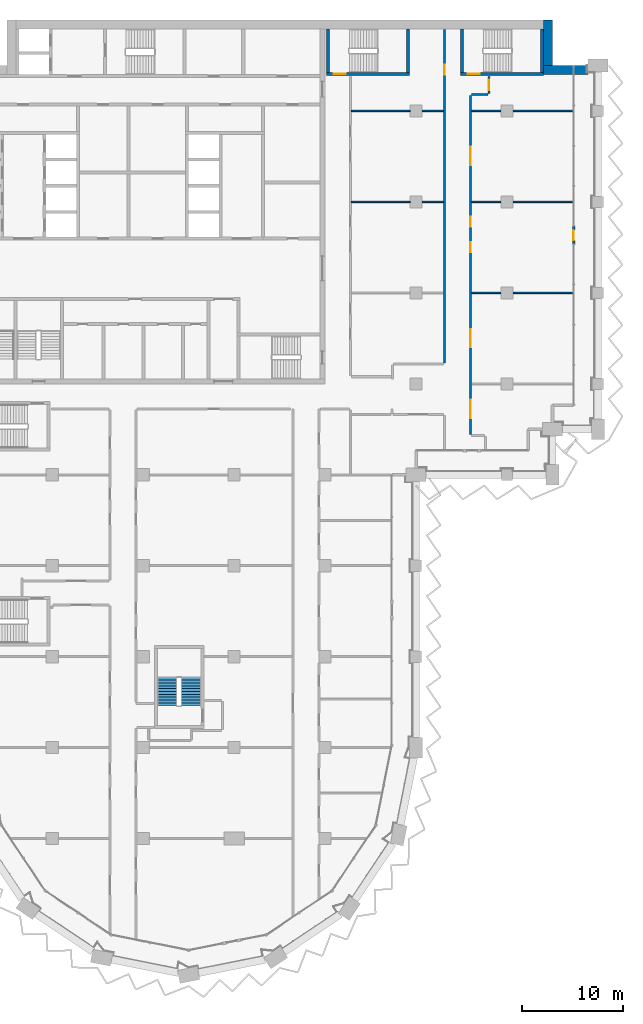
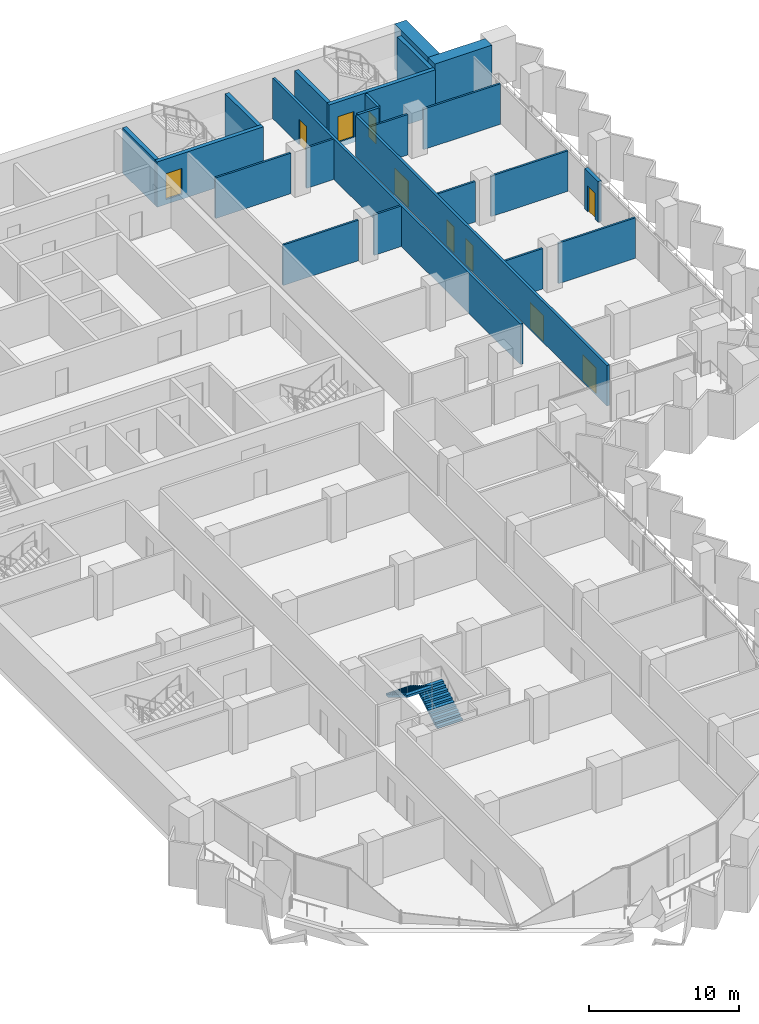
# One storey, part 14 of 22: 23 walls, 10 doors, 2 stair flights, 10 openings, 1 element without a shape of its own.
"""IFC4 building model written with IfcOpenShell, lengths in metres."""

import ifcopenshell
import ifcopenshell.guid

model = None  # the IFC model being written
_history = None  # IfcOwnerHistory: only IFC2X3 demands one
_inside = {}  # id of a spatial element -> (the spatial element, [elements in it])
_under = {}  # id of a project, library or spatial element -> (it, [spatial elements below it])
_declared = {}  # id of a project -> (the project, [libraries it declares])
_typed = {}  # id of a type object -> (the type object, [elements of that type])
_made_of = {}  # id of a material, layer set ... -> (it, [elements and type objects made of it])


def new_model(schema):
    """Start an empty IFC model of exactly this schema.

    Asked for "IFC4X3", IfcOpenShell would pick the latest addendum, in which some entities
    have other attributes; the version numbers below select the first issue.
    IFC2X3 requires an IfcOwnerHistory on every rooted entity: one is made here for all.
    """
    global model, _history
    if schema == "IFC4X3":
        model = ifcopenshell.file(schema_version=(4, 3, 0, 0))
    else:
        model = ifcopenshell.file(schema=schema)
    _inside.clear()
    _under.clear()
    _declared.clear()
    _typed.clear()
    _made_of.clear()
    _history = None
    if model.schema == "IFC2X3":
        org = make("IfcOrganization", Name="unknown")
        user = make(
            "IfcPersonAndOrganization",
            ThePerson=make("IfcPerson", FamilyName="unknown"),
            TheOrganization=org,
        )
        app = make(
            "IfcApplication",
            ApplicationDeveloper=org,
            Version="unknown",
            ApplicationFullName="unknown",
            ApplicationIdentifier="unknown",
        )
        _history = make(
            "IfcOwnerHistory",
            OwningUser=user,
            OwningApplication=app,
            ChangeAction="ADDED",
            CreationDate=0,
        )
    return model


def make(cls, **values):
    """One entity of the class cls with the attributes given. An attribute that is None is left unset."""
    return model.create_entity(
        cls, **{name: value for name, value in values.items() if value is not None}
    )


def rooted(cls, **values):
    """An entity with a GlobalId (a new one), such as an element, a storey or a relation."""
    return make(cls, GlobalId=ifcopenshell.guid.new(), OwnerHistory=_history, **values)


def si_unit(unit_type, name, prefix=None):
    """IfcSIUnit, for example si_unit("LENGTHUNIT", "METRE", prefix="MILLI")."""
    return make("IfcSIUnit", UnitType=unit_type, Prefix=prefix, Name=name)


def assignment(units):
    """IfcUnitAssignment: the units of a project."""
    return None if units is None else make("IfcUnitAssignment", Units=units)


def point(xyz):
    """IfcCartesianPoint."""
    return None if xyz is None else make("IfcCartesianPoint", Coordinates=xyz)


def direction(xyz):
    """IfcDirection."""
    return None if xyz is None else make("IfcDirection", DirectionRatios=xyz)


def frame(location, z_axis=None, x_axis=None):
    """IfcAxis2Placement3D, a coordinate frame: its origin and axes. An axis left out is left unset."""
    return make(
        "IfcAxis2Placement3D",
        Location=point(location),
        Axis=direction(z_axis),
        RefDirection=direction(x_axis),
    )


def frame_2d(location, x_axis=None):
    """IfcAxis2Placement2D, a coordinate frame in the plane: its origin and x axis."""
    return make(
        "IfcAxis2Placement2D", Location=point(location), RefDirection=direction(x_axis)
    )


def origin():
    """The frame at (0, 0, 0) with its axes left unset."""
    return frame((0.0, 0.0, 0.0))


def place(relative_to, where):
    """IfcLocalPlacement: puts the frame where relative to a parent placement (None: the world)."""
    return make(
        "IfcLocalPlacement", PlacementRelTo=relative_to, RelativePlacement=where
    )


def context(
    kind, dimensions, precision=None, world=None, true_north=None, identifier=None
):
    """IfcGeometricRepresentationContext, for example the 3D "Model" context."""
    return make(
        "IfcGeometricRepresentationContext",
        ContextIdentifier=identifier,
        ContextType=kind,
        CoordinateSpaceDimension=dimensions,
        Precision=precision,
        WorldCoordinateSystem=world,
        TrueNorth=true_north,
    )


def subcontext(parent, identifier, kind, view, scale=None):
    """IfcGeometricRepresentationSubContext, for example "Body" below "Model"."""
    return make(
        "IfcGeometricRepresentationSubContext",
        ContextIdentifier=identifier,
        ContextType=kind,
        ParentContext=parent,
        TargetScale=scale,
        TargetView=view,
    )


def project(units=None, contexts=None):
    """IfcProject with its units and contexts."""
    return rooted(
        "IfcProject",
        Name="project",
        RepresentationContexts=contexts,
        UnitsInContext=assignment(units),
    )


def spatial(cls, under=None, at=None, **own):
    """A site, building, storey or space (cls), placed at a placement, below another one or the project."""
    s = rooted(cls, ObjectPlacement=at, **own)
    if under is not None:
        _under.setdefault(under.id(), (under, []))[1].append(s)
    return s


def polyline(points):
    """IfcPolyline through the points."""
    return make("IfcPolyline", Points=[point(p) for p in points])


def profile(cls, at=None, kind="AREA", **sizes):
    """A parametric profile (cls). Its sizes go by their IFC names, for example OverallWidth=200.0."""
    return make(cls, ProfileType=kind, Position=at, **sizes)


def rectangle(**sizes):
    """IfcRectangleProfileDef."""
    return profile("IfcRectangleProfileDef", **sizes)


def outline(outer, holes=None, kind="AREA"):
    """IfcArbitraryClosedProfileDef: a profile drawn as a closed curve; with holes, ...WithVoids."""
    if holes is None:
        return make("IfcArbitraryClosedProfileDef", ProfileType=kind, OuterCurve=outer)
    return make(
        "IfcArbitraryProfileDefWithVoids",
        ProfileType=kind,
        OuterCurve=outer,
        InnerCurves=holes,
    )


def extrude(swept, where, along, depth):
    """IfcExtrudedAreaSolid: the profile swept, set in the frame where, extruded along a direction by depth."""
    return make(
        "IfcExtrudedAreaSolid",
        SweptArea=swept,
        Position=where,
        ExtrudedDirection=direction(along),
        Depth=depth,
    )


def shape(context_of_items, identifier, shape_type, items):
    """IfcShapeRepresentation: the items that make up one representation, for example the "Body"."""
    return make(
        "IfcShapeRepresentation",
        ContextOfItems=context_of_items,
        RepresentationIdentifier=identifier,
        RepresentationType=shape_type,
        Items=items,
    )


def material(Name=None, Category=None):
    """IfcMaterial."""
    return make("IfcMaterial", Name=Name, Category=Category)


def layer(
    of_material, thickness, ventilated=None, Name=None, Category=None, Priority=None
):
    """IfcMaterialLayer: one layer of a wall or slab, of a material (None: an air gap)."""
    return make(
        "IfcMaterialLayer",
        Material=of_material,
        LayerThickness=thickness,
        IsVentilated=ventilated,
        Name=Name,
        Category=Category,
        Priority=Priority,
    )


def layer_set(layers, Name=None):
    """IfcMaterialLayerSet."""
    return make("IfcMaterialLayerSet", MaterialLayers=layers, LayerSetName=Name)


def made_of(thing, what):
    """Note that an element or type object is made of a material, layer set ...; save() writes the relation."""
    if what is not None:
        _made_of.setdefault(what.id(), (what, []))[1].append(thing)
    return thing


def type_object(cls, material=None, **own):
    """A type object (cls), such as IfcWallType, which elements share."""
    return made_of(rooted(cls, **own), material)


def element(
    cls,
    number,
    at=None,
    inside=None,
    cuts=None,
    type_object=None,
    material=None,
    context=None,
    identifier="Body",
    shape_type=None,
    held_by="IfcProductDefinitionShape",
    body=None,
    shapes=None,
    **own,
):
    """One element of the class cls, such as IfcWall. Its Tag is "e" and its number.

    at: its placement. inside: the storey or other place that contains it. cuts: it is an
    opening in that element (IfcRelVoidsElement). A single representation is given by context,
    identifier, shape_type and body (its items); several are given by shapes. held_by: the class
    of the entity that holds the representations. save() writes the other relations.
    """
    e = rooted(cls, Tag="e%d" % number, ObjectPlacement=at, **own)
    if body is not None:
        shapes = [shape(context, identifier, shape_type, body)]
    if shapes is not None:
        e.Representation = make(held_by, Representations=shapes)
    if inside is not None:
        _inside.setdefault(inside.id(), (inside, []))[1].append(e)
    if cuts is not None:
        rooted(
            "IfcRelVoidsElement", RelatingBuildingElement=cuts, RelatedOpeningElement=e
        )
    if type_object is not None:
        _typed.setdefault(type_object.id(), (type_object, []))[1].append(e)
    return made_of(e, material)


def fill(opening, filler):
    """IfcRelFillsElement: the door or window that sits in an opening."""
    return rooted(
        "IfcRelFillsElement",
        RelatingOpeningElement=opening,
        RelatedBuildingElement=filler,
    )


def aggregate(whole, parts):
    """IfcRelAggregates: a whole, such as a stair, and the parts it consists of."""
    return rooted("IfcRelAggregates", RelatingObject=whole, RelatedObjects=parts)


def save(model, path):
    """Write the relations noted so far, then the file.

    IfcRelAggregates (storeys below a building ...), IfcRelContainedInSpatialStructure (elements
    in a storey), IfcRelDefinesByType, IfcRelAssociatesMaterial and IfcRelDeclares: one each for
    every whole, place, type object, material and project.
    """
    for whole, parts in _under.values():
        aggregate(whole, parts)
    for where, things in _inside.values():
        rooted(
            "IfcRelContainedInSpatialStructure",
            RelatedElements=things,
            RelatingStructure=where,
        )
    for kind, things in _typed.values():
        rooted("IfcRelDefinesByType", RelatedObjects=things, RelatingType=kind)
    for what, things in _made_of.values():
        rooted("IfcRelAssociatesMaterial", RelatedObjects=things, RelatingMaterial=what)
    for by, libraries in _declared.values():
        rooted("IfcRelDeclares", RelatingContext=by, RelatedDefinitions=libraries)
    model.write(path)


model = new_model("IFC4")

# Units and contexts
model_context = context("Model", 3, precision=1e-05, world=origin(), true_north=direction((0.0, 1.0)))
body_context = subcontext(model_context, "Body", "Model", "MODEL_VIEW")
ifc_project = project(units=[si_unit("LENGTHUNIT", "METRE"), si_unit("AREAUNIT", "SQUARE_METRE"), si_unit("VOLUMEUNIT", "CUBIC_METRE"), si_unit("PLANEANGLEUNIT", "RADIAN"), si_unit("MASSUNIT", "GRAM", prefix="KILO")], contexts=[model_context])

# Site, building, storey
site_placement = place(None, origin())
site = spatial("IfcSite", under=ifc_project, at=site_placement, CompositionType="ELEMENT")
building_placement = place(site_placement, origin())
building = spatial("IfcBuilding", under=site, at=building_placement, Name="Hunhe Ridgeline Campus", CompositionType="ELEMENT")
storey_placement = place(building_placement, frame((0.0, 0.0, 141.199951171875)))
storey = spatial("IfcBuildingStorey", under=building, at=storey_placement, Name="L35", CompositionType="ELEMENT", Elevation=141.199951171875)

# Wall
ifc_material_1 = material(Name="Gypsum board partition")
ifc_layer_1 = layer(ifc_material_1, 0.199951171875)
ifc_layer_set_1 = layer_set([ifc_layer_1], Name="Corridor partition 200 gypsum board on steel studs")
wall_type_1 = type_object("IfcWallType", Name="Corridor partition 200 gypsum board on steel studs", PredefinedType="PARTITIONING", material=ifc_layer_set_1)
wall_1_placement = place(storey_placement, frame((52.10009765625, 91.64990234375, 0.0), z_axis=(0.0, 0.0, 1.0), x_axis=(-1.0, 0.0, 0.0)))
element("IfcWall", 1, at=wall_1_placement, inside=storey, type_object=wall_type_1, Name="F-L35-wall-058", PredefinedType="PARTITIONING", context=body_context, shape_type="SweptSolid", body=[
    extrude(rectangle(XDim=1.60009765625, YDim=0.199951171875, at=frame_2d((0.800048828125, 0.0))), origin(), (0.0, 0.0, 1.0), 3.300048828125),
])

# Wall, opening, door
wall_2_placement = place(storey_placement, frame((47.800048828125, 65.050048828125, 0.0), z_axis=(0.0, 0.0, 1.0), x_axis=(0.0, 1.0, 0.0)))
wall_2 = element("IfcWall", 2, at=wall_2_placement, inside=storey, type_object=wall_type_1, Name="F-L35-wall-080", PredefinedType="PARTITIONING", context=body_context, shape_type="SweptSolid", body=[
    extrude(rectangle(XDim=33.030029296875, YDim=0.199951171875, at=frame_2d((16.51513671875, 0.0))), origin(), (0.0, 0.0, 1.0), 3.300048828125),
])
opening_1_placement = place(wall_2_placement, frame((28.540283203125, 0.0, 0.0)))
opening_1 = element("IfcOpeningElement", 3, at=opening_1_placement, cuts=wall_2, Name="Opening RD1-043", PredefinedType="OPENING", context=body_context, shape_type="SweptSolid", body=[
    extrude(rectangle(XDim=1.0, YDim=2.10009765625, at=frame_2d((0.5, 1.050048828125))), frame((0.0, 0.10009765625, 0.0), z_axis=(0.0, -1.0, 0.0), x_axis=(1.0, 0.0, 0.0)), (0.0, 0.0, 1.0), 0.199951171875),
])
ifc_material_2 = material(Name="Timber door leaf", Category="wood")
door_type_1 = type_object("IfcDoorType", Name="Single fire door 1000x2100 timber FD60", OperationType="NOTDEFINED", PredefinedType="DOOR", material=ifc_material_2)
door_1_placement = place(opening_1_placement, origin())
door_1 = element("IfcDoor", 4, at=door_1_placement, inside=storey, type_object=door_type_1, Name="F-L35-door-043", OperationType="SINGLE_SWING_RIGHT", OverallHeight=2.10009765625, OverallWidth=1.0, PredefinedType="DOOR", context=body_context, shape_type="SweptSolid", body=[
    extrude(rectangle(XDim=1.0, YDim=2.10009765625, at=frame_2d((0.5, 1.050048828125))), frame((0.0, 0.02490234375, 0.0), z_axis=(0.0, -1.0, 0.0), x_axis=(1.0, 0.0, 0.0)), (0.0, 0.0, 1.0), 0.050048828125),
])
fill(opening_1, door_1)

# Wall, openings, doors
wall_3_placement = place(storey_placement, frame((50.39990234375, 91.550048828125, 0.0), z_axis=(0.0, 0.0, 1.0), x_axis=(0.0, -1.0, 0.0)))
wall_3 = element("IfcWall", 5, at=wall_3_placement, inside=storey, type_object=wall_type_1, Name="F-L35-wall-081", PredefinedType="PARTITIONING", context=body_context, shape_type="SweptSolid", body=[
    extrude(rectangle(XDim=33.549072265625, YDim=0.199951171875, at=frame_2d((16.7744140625, 0.0))), origin(), (0.0, 0.0, 1.0), 3.300048828125),
])
opening_2_placement = place(wall_3_placement, frame((30.145263671875, 0.0, 0.0)))
opening_2 = element("IfcOpeningElement", 6, at=opening_2_placement, cuts=wall_3, Name="Opening RD2-031", PredefinedType="OPENING", context=body_context, shape_type="SweptSolid", body=[
    extrude(rectangle(XDim=1.800048828125, YDim=2.10009765625, at=frame_2d((0.89990234375, 1.050048828125))), frame((0.0, 0.10009765625, 0.0), z_axis=(0.0, -1.0, 0.0), x_axis=(1.0, 0.0, 0.0)), (0.0, 0.0, 1.0), 0.199951171875),
])
opening_3_placement = place(wall_3_placement, frame((23.135009765625, 0.0, 0.0)))
opening_3 = element("IfcOpeningElement", 7, at=opening_3_placement, cuts=wall_3, Name="Opening RD2-032", PredefinedType="OPENING", context=body_context, shape_type="SweptSolid", body=[
    extrude(rectangle(XDim=1.800048828125, YDim=2.10009765625, at=frame_2d((0.89990234375, 1.050048828125))), frame((0.0, 0.10009765625, 0.0), z_axis=(0.0, -1.0, 0.0), x_axis=(1.0, 0.0, 0.0)), (0.0, 0.0, 1.0), 0.199951171875),
])
opening_4_placement = place(wall_3_placement, frame((14.52197265625, 0.0, 0.0)))
opening_4 = element("IfcOpeningElement", 8, at=opening_4_placement, cuts=wall_3, Name="Opening RD1-035", PredefinedType="OPENING", context=body_context, shape_type="SweptSolid", body=[
    extrude(rectangle(XDim=1.0, YDim=2.10009765625, at=frame_2d((0.5, 1.050048828125))), frame((0.0, 0.10009765625, 0.0), z_axis=(0.0, -1.0, 0.0), x_axis=(1.0, 0.0, 0.0)), (0.0, 0.0, 1.0), 0.199951171875),
])
opening_5_placement = place(wall_3_placement, frame((12.02197265625, 0.0, 0.0)))
opening_5 = element("IfcOpeningElement", 9, at=opening_5_placement, cuts=wall_3, Name="Opening RD1-037", PredefinedType="OPENING", context=body_context, shape_type="SweptSolid", body=[
    extrude(rectangle(XDim=1.0, YDim=2.10009765625, at=frame_2d((0.5, 1.050048828125))), frame((0.0, 0.10009765625, 0.0), z_axis=(0.0, -1.0, 0.0), x_axis=(1.0, 0.0, 0.0)), (0.0, 0.0, 1.0), 0.199951171875),
])
opening_6_placement = place(wall_3_placement, frame((5.10888671875, 0.0, 0.0)))
opening_6 = element("IfcOpeningElement", 10, at=opening_6_placement, cuts=wall_3, Name="Opening RD2-040", PredefinedType="OPENING", context=body_context, shape_type="SweptSolid", body=[
    extrude(rectangle(XDim=1.800048828125, YDim=2.10009765625, at=frame_2d((0.89990234375, 1.050048828125))), frame((0.0, 0.10009765625, 0.0), z_axis=(0.0, -1.0, 0.0), x_axis=(1.0, 0.0, 0.0)), (0.0, 0.0, 1.0), 0.199951171875),
])
door_type_2 = type_object("IfcDoorType", Name="Double fire door 1800x2100 timber FD60", OperationType="DOUBLE_DOOR_SINGLE_SWING", PredefinedType="DOOR", material=ifc_material_2)
door_2_placement = place(opening_2_placement, origin())
door_2 = element("IfcDoor", 11, at=door_2_placement, inside=storey, type_object=door_type_2, Name="F-L35-door-031", OperationType="DOUBLE_DOOR_SINGLE_SWING", OverallHeight=2.10009765625, OverallWidth=1.800048828125, PredefinedType="DOOR", context=body_context, shape_type="SweptSolid", body=[
    extrude(rectangle(XDim=1.800048828125, YDim=2.10009765625, at=frame_2d((0.89990234375, 1.050048828125))), frame((0.0, 0.02490234375, 0.0), z_axis=(0.0, -1.0, 0.0), x_axis=(1.0, 0.0, 0.0)), (0.0, 0.0, 1.0), 0.050048828125),
])
fill(opening_2, door_2)
door_3_placement = place(opening_3_placement, origin())
door_3 = element("IfcDoor", 12, at=door_3_placement, inside=storey, type_object=door_type_2, Name="F-L35-door-032", OperationType="DOUBLE_DOOR_SINGLE_SWING", OverallHeight=2.10009765625, OverallWidth=1.800048828125, PredefinedType="DOOR", context=body_context, shape_type="SweptSolid", body=[
    extrude(rectangle(XDim=1.800048828125, YDim=2.10009765625, at=frame_2d((0.89990234375, 1.050048828125))), frame((0.0, 0.02490234375, 0.0), z_axis=(0.0, -1.0, 0.0), x_axis=(1.0, 0.0, 0.0)), (0.0, 0.0, 1.0), 0.050048828125),
])
fill(opening_3, door_3)
door_4_placement = place(opening_6_placement, origin())
door_4 = element("IfcDoor", 13, at=door_4_placement, inside=storey, type_object=door_type_2, Name="F-L35-door-040", OperationType="DOUBLE_DOOR_SINGLE_SWING", OverallHeight=2.10009765625, OverallWidth=1.800048828125, PredefinedType="DOOR", context=body_context, shape_type="SweptSolid", body=[
    extrude(rectangle(XDim=1.800048828125, YDim=2.10009765625, at=frame_2d((0.89990234375, 1.050048828125))), frame((0.0, 0.02490234375, 0.0), z_axis=(0.0, -1.0, 0.0), x_axis=(1.0, 0.0, 0.0)), (0.0, 0.0, 1.0), 0.050048828125),
])
fill(opening_6, door_4)
door_5_placement = place(opening_4_placement, frame((1.0, 0.0, 0.0), z_axis=(0.0, 0.0, 1.0), x_axis=(-1.0, 0.0, 0.0)))
door_5 = element("IfcDoor", 14, at=door_5_placement, inside=storey, type_object=door_type_1, Name="F-L35-door-035", OperationType="SINGLE_SWING_RIGHT", OverallHeight=2.10009765625, OverallWidth=1.0, PredefinedType="DOOR", context=body_context, shape_type="SweptSolid", body=[
    extrude(rectangle(XDim=1.0, YDim=2.10009765625, at=frame_2d((0.5, 1.050048828125))), frame((0.0, 0.02490234375, 0.0), z_axis=(0.0, -1.0, 0.0), x_axis=(1.0, 0.0, 0.0)), (0.0, 0.0, 1.0), 0.050048828125),
])
fill(opening_4, door_5)
door_6_placement = place(opening_5_placement, frame((1.0, 0.0, 0.0), z_axis=(0.0, 0.0, 1.0), x_axis=(-1.0, 0.0, 0.0)))
door_6 = element("IfcDoor", 15, at=door_6_placement, inside=storey, type_object=door_type_1, Name="F-L35-door-037", OperationType="SINGLE_SWING_RIGHT", OverallHeight=2.10009765625, OverallWidth=1.0, PredefinedType="DOOR", context=body_context, shape_type="SweptSolid", body=[
    extrude(rectangle(XDim=1.0, YDim=2.10009765625, at=frame_2d((0.5, 1.050048828125))), frame((0.0, 0.02490234375, 0.0), z_axis=(0.0, -1.0, 0.0), x_axis=(1.0, 0.0, 0.0)), (0.0, 0.0, 1.0), 0.050048828125),
])
fill(opening_5, door_6)

# Wall, opening, door
wall_4_placement = place(storey_placement, frame((52.199951171875, 93.39599609375, 0.0), z_axis=(0.0, 0.0, 1.0), x_axis=(0.0, -1.0, 0.0)))
wall_4 = element("IfcWall", 16, at=wall_4_placement, inside=storey, type_object=wall_type_1, Name="F-L35-wall-083", PredefinedType="PARTITIONING", context=body_context, shape_type="SweptSolid", body=[
    extrude(rectangle(XDim=1.64599609375, YDim=0.199951171875, at=frame_2d((0.822998046875, 0.0))), origin(), (0.0, 0.0, 1.0), 3.300048828125),
])
opening_7_placement = place(wall_4_placement, frame((0.322998046875, 0.0, 0.0)))
opening_7 = element("IfcOpeningElement", 17, at=opening_7_placement, cuts=wall_4, Name="Opening RD1-042", PredefinedType="OPENING", context=body_context, shape_type="SweptSolid", body=[
    extrude(rectangle(XDim=1.0, YDim=2.10009765625, at=frame_2d((0.5, 1.050048828125))), frame((0.0, 0.10009765625, 0.0), z_axis=(0.0, -1.0, 0.0), x_axis=(1.0, 0.0, 0.0)), (0.0, 0.0, 1.0), 0.199951171875),
])
door_7_placement = place(opening_7_placement, origin())
door_7 = element("IfcDoor", 18, at=door_7_placement, inside=storey, type_object=door_type_1, Name="F-L35-door-042", OperationType="SINGLE_SWING_LEFT", OverallHeight=2.10009765625, OverallWidth=1.0, PredefinedType="DOOR", context=body_context, shape_type="SweptSolid", body=[
    extrude(rectangle(XDim=1.0, YDim=2.10009765625, at=frame_2d((0.5, 1.050048828125))), frame((0.0, 0.02490234375, 0.0), z_axis=(0.0, -1.0, 0.0), x_axis=(1.0, 0.0, 0.0)), (0.0, 0.0, 1.0), 0.050048828125),
])
fill(opening_7, door_7)

ifc_material_3 = material(Name="Concrete C30", Category="concrete")
ifc_layer_2 = layer(ifc_material_3, 0.25)
ifc_layer_set_2 = layer_set([ifc_layer_2], Name="Loggia door pier wall 250 Concrete C30")
wall_type_2 = type_object("IfcWallType", Name="Loggia door pier wall 250 Concrete C30", PredefinedType="SOLIDWALL", material=ifc_layer_set_2)
wall_5_placement = place(storey_placement, frame((60.59912109375, 76.800537109375, 0.0), z_axis=(0.0, 0.0, 1.0), x_axis=(0.0, 1.0, 0.0)))
wall_5 = element("IfcWall", 19, at=wall_5_placement, inside=storey, type_object=wall_type_2, Name="Loggia door pier 5", PredefinedType="SOLIDWALL", context=body_context, shape_type="SweptSolid", body=[
    extrude(rectangle(XDim=1.800048828125, YDim=0.25, at=frame_2d((0.89990234375, 0.0))), origin(), (0.0, 0.0, 1.0), 3.300048828125),
])
opening_8_placement = place(wall_5_placement, frame((0.39990234375, 0.0, 0.0)))
opening_8 = element("IfcOpeningElement", 20, at=opening_8_placement, cuts=wall_5, Name="Opening BD307", PredefinedType="OPENING", context=body_context, shape_type="SweptSolid", body=[
    extrude(rectangle(XDim=1.0, YDim=2.10009765625, at=frame_2d((0.5, 1.050048828125))), frame((0.0, 0.125, 0.0), z_axis=(0.0, -1.0, 0.0), x_axis=(1.0, 0.0, 0.0)), (0.0, 0.0, 1.0), 0.25),
])
ifc_material_4 = material(Name="Aluminium 6063", Category="aluminium")
door_type_3 = type_object("IfcDoorType", Name="Loggia glazed door 1000x2100", OperationType="NOTDEFINED", PredefinedType="DOOR", material=ifc_material_4)
door_8_placement = place(opening_8_placement, frame((1.0, 0.0, 0.0), z_axis=(0.0, 0.0, 1.0), x_axis=(-1.0, 0.0, 0.0)))
door_8 = element("IfcDoor", 21, at=door_8_placement, inside=storey, type_object=door_type_3, Name="Loggia door BD307", OperationType="SINGLE_SWING_RIGHT", OverallHeight=2.10009765625, OverallWidth=1.0, PredefinedType="DOOR", context=body_context, shape_type="SweptSolid", body=[
    extrude(rectangle(XDim=1.0, YDim=2.10009765625, at=frame_2d((0.5, 1.050048828125))), frame((0.0, 0.02490234375, 0.0), z_axis=(0.0, -1.0, 0.0), x_axis=(1.0, 0.0, 0.0)), (0.0, 0.0, 1.0), 0.050048828125),
])
fill(opening_8, door_8)

# Walls
ifc_layer_3 = layer(ifc_material_1, 0.14990234375)
ifc_layer_set_3 = layer_set([ifc_layer_3], Name="Room partition 150 gypsum board on steel studs")
wall_type_3 = type_object("IfcWallType", Name="Room partition 150 gypsum board on steel studs", PredefinedType="PARTITIONING", material=ifc_layer_set_3)
wall_6_placement = place(storey_placement, frame((50.5, 72.0, 0.0), z_axis=(0.0, 0.0, 1.0), x_axis=(1.0, 0.0, 0.0)))
element("IfcWall", 22, at=wall_6_placement, inside=storey, type_object=wall_type_3, Name="F-L35-wall-048", PredefinedType="PARTITIONING", context=body_context, shape_type="SweptSolid", body=[
    extrude(rectangle(XDim=2.89990234375, YDim=0.14990234375, at=frame_2d((1.449951171875, 0.0))), origin(), (0.0, 0.0, 1.0), 3.300048828125),
])
wall_7_placement = place(storey_placement, frame((54.60009765625, 72.0, 0.0), z_axis=(0.0, 0.0, 1.0), x_axis=(1.0, 0.0, 0.0)))
element("IfcWall", 23, at=wall_7_placement, inside=storey, type_object=wall_type_3, Name="F-L35-wall-049", PredefinedType="PARTITIONING", context=body_context, shape_type="SweptSolid", body=[
    extrude(rectangle(XDim=5.94482421875, YDim=0.14990234375, at=frame_2d((2.972412109375, 0.0))), origin(), (0.0, 0.0, 1.0), 3.300048828125),
])
wall_8_placement = place(storey_placement, frame((38.60009765625, 81.0, 0.0), z_axis=(0.0, 0.0, 1.0), x_axis=(1.0, 0.0, 0.0)))
element("IfcWall", 24, at=wall_8_placement, inside=storey, type_object=wall_type_3, Name="F-L35-wall-050", PredefinedType="PARTITIONING", context=body_context, shape_type="SweptSolid", body=[
    extrude(rectangle(XDim=5.7998046875, YDim=0.14990234375, at=frame_2d((2.89990234375, 0.0))), origin(), (0.0, 0.0, 1.0), 3.300048828125),
])
wall_9_placement = place(storey_placement, frame((45.60009765625, 81.0, 0.0), z_axis=(0.0, 0.0, 1.0), x_axis=(1.0, 0.0, 0.0)))
element("IfcWall", 25, at=wall_9_placement, inside=storey, type_object=wall_type_3, Name="F-L35-wall-051", PredefinedType="PARTITIONING", context=body_context, shape_type="SweptSolid", body=[
    extrude(rectangle(XDim=2.099853515625, YDim=0.14990234375, at=frame_2d((1.0498046875, 0.0))), origin(), (0.0, 0.0, 1.0), 3.300048828125),
])
wall_10_placement = place(storey_placement, frame((50.5, 81.0, 0.0), z_axis=(0.0, 0.0, 1.0), x_axis=(1.0, 0.0, 0.0)))
element("IfcWall", 26, at=wall_10_placement, inside=storey, type_object=wall_type_3, Name="F-L35-wall-052", PredefinedType="PARTITIONING", context=body_context, shape_type="SweptSolid", body=[
    extrude(rectangle(XDim=2.89990234375, YDim=0.14990234375, at=frame_2d((1.449951171875, 0.0))), origin(), (0.0, 0.0, 1.0), 3.300048828125),
])
wall_11_placement = place(storey_placement, frame((54.60009765625, 81.0, 0.0), z_axis=(0.0, 0.0, 1.0), x_axis=(1.0, 0.0, 0.0)))
element("IfcWall", 27, at=wall_11_placement, inside=storey, type_object=wall_type_3, Name="F-L35-wall-053", PredefinedType="PARTITIONING", context=body_context, shape_type="SweptSolid", body=[
    extrude(rectangle(XDim=5.94482421875, YDim=0.14990234375, at=frame_2d((2.972412109375, 0.0))), origin(), (0.0, 0.0, 1.0), 3.300048828125),
])
wall_12_placement = place(storey_placement, frame((38.60009765625, 90.0, 0.0), z_axis=(0.0, 0.0, 1.0), x_axis=(1.0, 0.0, 0.0)))
element("IfcWall", 28, at=wall_12_placement, inside=storey, type_object=wall_type_3, Name="F-L35-wall-054", PredefinedType="PARTITIONING", context=body_context, shape_type="SweptSolid", body=[
    extrude(rectangle(XDim=5.7998046875, YDim=0.14990234375, at=frame_2d((2.89990234375, 0.0))), origin(), (0.0, 0.0, 1.0), 3.300048828125),
])
wall_13_placement = place(storey_placement, frame((45.60009765625, 90.0, 0.0), z_axis=(0.0, 0.0, 1.0), x_axis=(1.0, 0.0, 0.0)))
element("IfcWall", 29, at=wall_13_placement, inside=storey, type_object=wall_type_3, Name="F-L35-wall-055", PredefinedType="PARTITIONING", context=body_context, shape_type="SweptSolid", body=[
    extrude(rectangle(XDim=2.099853515625, YDim=0.14990234375, at=frame_2d((1.0498046875, 0.0))), origin(), (0.0, 0.0, 1.0), 3.300048828125),
])
wall_14_placement = place(storey_placement, frame((50.5, 90.0, 0.0), z_axis=(0.0, 0.0, 1.0), x_axis=(1.0, 0.0, 0.0)))
element("IfcWall", 30, at=wall_14_placement, inside=storey, type_object=wall_type_3, Name="F-L35-wall-056", PredefinedType="PARTITIONING", context=body_context, shape_type="SweptSolid", body=[
    extrude(rectangle(XDim=2.89990234375, YDim=0.14990234375, at=frame_2d((1.449951171875, 0.0))), origin(), (0.0, 0.0, 1.0), 3.300048828125),
])
wall_15_placement = place(storey_placement, frame((54.60009765625, 90.0, 0.0), z_axis=(0.0, 0.0, 1.0), x_axis=(1.0, 0.0, 0.0)))
element("IfcWall", 31, at=wall_15_placement, inside=storey, type_object=wall_type_3, Name="F-L35-wall-057", PredefinedType="PARTITIONING", context=body_context, shape_type="SweptSolid", body=[
    extrude(rectangle(XDim=5.94482421875, YDim=0.14990234375, at=frame_2d((2.972412109375, 0.0))), origin(), (0.0, 0.0, 1.0), 3.300048828125),
])
ifc_material_5 = material(Name="Concrete C70", Category="concrete")
ifc_layer_4 = layer(ifc_material_5, 0.89990234375)
ifc_layer_set_4 = layer_set([ifc_layer_4], Name="Spine wall 900 Concrete C70")
wall_type_4 = type_object("IfcWallType", Name="Spine wall 900 Concrete C70", PredefinedType="SHEAR", material=ifc_layer_set_4)
wall_16_placement = place(storey_placement, frame((62.0, 94.050048828125, 0.0), z_axis=(0.0, 0.0, 1.0), x_axis=(-1.0, 0.0, 0.0)))
element("IfcWall", 32, at=wall_16_placement, inside=storey, type_object=wall_type_4, Name="Spine wall SW2-2 L35", PredefinedType="SHEAR", context=body_context, shape_type="SweptSolid", body=[
    extrude(rectangle(XDim=4.400390625, YDim=0.89990234375, at=frame_2d((2.2001953125, 0.0))), origin(), (0.0, 0.0, 1.0), 3.699951171875),
])
wall_17_placement = place(storey_placement, frame((58.050048828125, 93.60009765625, 0.0), z_axis=(0.0, 0.0, 1.0), x_axis=(0.0, 1.0, 0.0)))
element("IfcWall", 33, at=wall_17_placement, inside=storey, type_object=wall_type_4, Name="Spine wall SW2-3 L35", PredefinedType="SHEAR", context=body_context, shape_type="SweptSolid", body=[
    extrude(rectangle(XDim=5.39990234375, YDim=0.89990234375, at=frame_2d((2.699951171875, 0.0))), origin(), (0.0, 0.0, 1.0), 3.699951171875),
])

# Wall, opening, door
ifc_layer_5 = layer(ifc_material_5, 0.300048828125)
ifc_layer_set_5 = layer_set([ifc_layer_5], Name="Stair wall 300 reinforced concrete C70")
wall_type_5 = type_object("IfcWallType", Name="Stair wall 300 reinforced concrete C70", PredefinedType="SOLIDWALL", material=ifc_layer_set_5)
wall_18_placement = place(storey_placement, frame((36.14990234375, 93.64990234375, -0.39990234375), z_axis=(0.0, 0.0, 1.0), x_axis=(1.0, 0.0, 0.0)))
wall_18 = element("IfcWall", 34, at=wall_18_placement, inside=storey, type_object=wall_type_5, Name="L35 core wall 29", PredefinedType="SOLIDWALL", context=body_context, shape_type="SweptSolid", body=[
    extrude(rectangle(XDim=8.2001953125, YDim=0.300048828125, at=frame_2d((4.10009765625, 0.0))), origin(), (0.0, 0.0, 1.0), 3.699951171875),
])
opening_9_placement = place(wall_18_placement, frame((0.699951171875, 0.0, 0.39990234375)))
opening_9 = element("IfcOpeningElement", 35, at=opening_9_placement, cuts=wall_18, Name="Opening CD17", PredefinedType="OPENING", context=body_context, shape_type="SweptSolid", body=[
    extrude(rectangle(XDim=1.199951171875, YDim=2.10009765625, at=frame_2d((0.60009765625, 1.050048828125))), frame((0.0, 0.14990234375, 0.0), z_axis=(0.0, -1.0, 0.0), x_axis=(1.0, 0.0, 0.0)), (0.0, 0.0, 1.0), 0.300048828125),
])
ifc_material_6 = material(Name="Hollow metal fire door leaf")
door_type_4 = type_object("IfcDoorType", Name="Stair door 1200x2100 FD60", OperationType="SINGLE_SWING_LEFT", PredefinedType="DOOR", material=ifc_material_6)
door_9_placement = place(opening_9_placement, frame((1.199951171875, 0.0, 0.0), z_axis=(0.0, 0.0, 1.0), x_axis=(-1.0, 0.0, 0.0)))
door_9 = element("IfcDoor", 36, at=door_9_placement, inside=storey, type_object=door_type_4, Name="L35 door E1", OperationType="SINGLE_SWING_RIGHT", OverallHeight=2.10009765625, OverallWidth=1.199951171875, PredefinedType="DOOR", context=body_context, shape_type="SweptSolid", body=[
    extrude(rectangle(XDim=1.199951171875, YDim=2.10009765625, at=frame_2d((0.60009765625, 1.050048828125))), frame((0.0, 0.02490234375, 0.0), z_axis=(0.0, -1.0, 0.0), x_axis=(1.0, 0.0, 0.0)), (0.0, 0.0, 1.0), 0.050048828125),
])
fill(opening_9, door_9)

wall_19_placement = place(storey_placement, frame((49.39990234375, 93.64990234375, -0.39990234375), z_axis=(0.0, 0.0, 1.0), x_axis=(1.0, 0.0, 0.0)))
wall_19 = element("IfcWall", 37, at=wall_19_placement, inside=storey, type_object=wall_type_5, Name="L35 core wall 30", PredefinedType="SOLIDWALL", context=body_context, shape_type="SweptSolid", body=[
    extrude(rectangle(XDim=8.2001953125, YDim=0.300048828125, at=frame_2d((4.10009765625, 0.0))), origin(), (0.0, 0.0, 1.0), 3.699951171875),
])
opening_10_placement = place(wall_19_placement, frame((0.699951171875, 0.0, 0.39990234375)))
opening_10 = element("IfcOpeningElement", 38, at=opening_10_placement, cuts=wall_19, Name="Opening CD18", PredefinedType="OPENING", context=body_context, shape_type="SweptSolid", body=[
    extrude(rectangle(XDim=1.199951171875, YDim=2.10009765625, at=frame_2d((0.60009765625, 1.050048828125))), frame((0.0, 0.14990234375, 0.0), z_axis=(0.0, -1.0, 0.0), x_axis=(1.0, 0.0, 0.0)), (0.0, 0.0, 1.0), 0.300048828125),
])
door_10_placement = place(opening_10_placement, frame((1.199951171875, 0.0, 0.0), z_axis=(0.0, 0.0, 1.0), x_axis=(-1.0, 0.0, 0.0)))
door_10 = element("IfcDoor", 39, at=door_10_placement, inside=storey, type_object=door_type_4, Name="L35 door E2", OperationType="SINGLE_SWING_LEFT", OverallHeight=2.10009765625, OverallWidth=1.199951171875, PredefinedType="DOOR", context=body_context, shape_type="SweptSolid", body=[
    extrude(rectangle(XDim=1.199951171875, YDim=2.10009765625, at=frame_2d((0.60009765625, 1.050048828125))), frame((0.0, 0.02490234375, 0.0), z_axis=(0.0, -1.0, 0.0), x_axis=(1.0, 0.0, 0.0)), (0.0, 0.0, 1.0), 0.050048828125),
])
fill(opening_10, door_10)

# Walls
for number, where, z_axis, x_axis, name in (
    (40, (36.300048828125, 93.800048828125, -0.39990234375), (0.0, 0.0, 1.0), (0.0, 1.0, 0.0), "L35 core wall 60"),
    (41, (44.199951171875, 93.800048828125, -0.39990234375), (0.0, 0.0, 1.0), (0.0, 1.0, 0.0), "L35 core wall 61"),
    (42, (49.550048828125, 93.800048828125, -0.39990234375), (0.0, 0.0, 1.0), (0.0, 1.0, 0.0), "L35 core wall 62"),
    (43, (57.449951171875, 93.800048828125, -0.39990234375), (0.0, 0.0, 1.0), (0.0, 1.0, 0.0), "L35 core wall 63"),
):
    element("IfcWall", number, at=place(storey_placement, frame(where, z_axis=z_axis, x_axis=x_axis)), inside=storey, type_object=wall_type_5, Name=name, PredefinedType="SOLIDWALL", context=body_context, shape_type="SweptSolid", body=[
        extrude(rectangle(XDim=4.300048828125, YDim=0.300048828125, at=frame_2d((2.14990234375, 0.0))), origin(), (0.0, 0.0, 1.0), 3.699951171875),
    ])

# Stair, stair flights
ifc_material_7 = material(Name="Concrete C40", Category="concrete")
stair_type = type_object("IfcStairType", Name="Reinforced concrete dog-leg stair 1950 Concrete C40", PredefinedType="HALF_TURN_STAIR", material=ifc_material_7)
stair_placement = place(storey_placement, origin())
stair = element("IfcStair", 44, at=stair_placement, inside=storey, type_object=stair_type, Name="L35 W3", PredefinedType="HALF_TURN_STAIR")
stair_flight_type = type_object("IfcStairFlightType", Name="Reinforced concrete stair flight 1950 Concrete C40", PredefinedType="STRAIGHT", material=ifc_material_7)
stair_flight_1_placement = place(storey_placement, frame((22.72509765625, 31.14990234375, 0.0), z_axis=(0.0, 0.0, 1.0), x_axis=(0.0, 1.0, 0.0)))
stair_flight_1 = element("IfcStairFlight", 45, at=stair_flight_1_placement, type_object=stair_flight_type, Name="ST9 flight 1", NumberOfRisers=11, NumberOfTreads=10, PredefinedType="STRAIGHT", RiserHeight=0.168181818, TreadLength=0.28, context=body_context, shape_type="SweptSolid", body=[
    extrude(outline(polyline([(0.0, 0.0), (0.0, 0.168212890625), (0.280029296875, 0.168212890625), (0.280029296875, 0.33642578125), (0.56005859375, 0.33642578125), (0.56005859375, 0.504638671875), (0.840087890625, 0.504638671875), (0.840087890625, 0.672607421875), (1.1201171875, 0.672607421875), (1.1201171875, 0.8408203125), (1.39990234375, 0.8408203125), (1.39990234375, 1.009033203125), (1.679931640625, 1.009033203125), (1.679931640625, 1.17724609375), (1.9599609375, 1.17724609375), (1.9599609375, 1.345458984375), (2.239990234375, 1.345458984375), (2.239990234375, 1.513671875), (2.52001953125, 1.513671875), (2.52001953125, 1.681884765625), (2.800048828125, 1.681884765625), (2.800048828125, 1.85009765625), (2.800048828125, 1.5068359375), (0.291015625, 0.0), (0.0, 0.0)])), frame((0.0, 0.97509765625, 0.0), z_axis=(0.0, -1.0, 0.0), x_axis=(1.0, 0.0, 0.0)), (0.0, 0.0, 1.0), 1.949951171875),
    extrude(outline(polyline([(0.030029296875, 0.030029296875), (0.030029296875, 0.13818359375), (0.31005859375, 0.13818359375), (0.31005859375, 0.306396484375), (0.590087890625, 0.306396484375), (0.590087890625, 0.474609375), (0.8701171875, 0.474609375), (0.8701171875, 0.642578125), (1.14990234375, 0.642578125), (1.14990234375, 0.810791015625), (1.429931640625, 0.810791015625), (1.429931640625, 0.97900390625), (1.7099609375, 0.97900390625), (1.7099609375, 1.147216796875), (1.989990234375, 1.147216796875), (1.989990234375, 1.3154296875), (2.27001953125, 1.3154296875), (2.27001953125, 1.483642578125), (2.550048828125, 1.483642578125), (2.550048828125, 1.65185546875), (2.77001953125, 1.65185546875), (2.77001953125, 1.52392578125), (0.28271484375, 0.030029296875), (0.030029296875, 0.030029296875)])), frame((0.0, -0.070068359375, 0.0), z_axis=(0.0, -1.0, 0.0), x_axis=(1.0, 0.0, 0.0)), (0.0, 0.0, 1.0), 0.019775390625),
    extrude(outline(polyline([(0.030029296875, 0.030029296875), (0.030029296875, 0.13818359375), (0.31005859375, 0.13818359375), (0.31005859375, 0.306396484375), (0.590087890625, 0.306396484375), (0.590087890625, 0.474609375), (0.8701171875, 0.474609375), (0.8701171875, 0.642578125), (1.14990234375, 0.642578125), (1.14990234375, 0.810791015625), (1.429931640625, 0.810791015625), (1.429931640625, 0.97900390625), (1.7099609375, 0.97900390625), (1.7099609375, 1.147216796875), (1.989990234375, 1.147216796875), (1.989990234375, 1.3154296875), (2.27001953125, 1.3154296875), (2.27001953125, 1.483642578125), (2.550048828125, 1.483642578125), (2.550048828125, 1.65185546875), (2.77001953125, 1.65185546875), (2.77001953125, 1.52392578125), (0.28271484375, 0.030029296875), (0.030029296875, 0.030029296875)])), frame((0.0, 0.010009765625, 0.0), z_axis=(0.0, -1.0, 0.0), x_axis=(1.0, 0.0, 0.0)), (0.0, 0.0, 1.0), 0.019775390625),
    extrude(outline(polyline([(0.030029296875, 0.030029296875), (0.030029296875, 0.13818359375), (0.31005859375, 0.13818359375), (0.31005859375, 0.306396484375), (0.590087890625, 0.306396484375), (0.590087890625, 0.474609375), (0.8701171875, 0.474609375), (0.8701171875, 0.642578125), (1.14990234375, 0.642578125), (1.14990234375, 0.810791015625), (1.429931640625, 0.810791015625), (1.429931640625, 0.97900390625), (1.7099609375, 0.97900390625), (1.7099609375, 1.147216796875), (1.989990234375, 1.147216796875), (1.989990234375, 1.3154296875), (2.27001953125, 1.3154296875), (2.27001953125, 1.483642578125), (2.550048828125, 1.483642578125), (2.550048828125, 1.65185546875), (2.77001953125, 1.65185546875), (2.77001953125, 1.52392578125), (0.28271484375, 0.030029296875), (0.030029296875, 0.030029296875)])), frame((0.0, 0.090087890625, 0.0), z_axis=(0.0, -1.0, 0.0), x_axis=(1.0, 0.0, 0.0)), (0.0, 0.0, 1.0), 0.019775390625),
])
stair_flight_2_placement = place(storey_placement, frame((20.375, 33.949951171875, 1.85009765625), z_axis=(0.0, 0.0, 1.0), x_axis=(0.0, -1.0, 0.0)))
stair_flight_2 = element("IfcStairFlight", 46, at=stair_flight_2_placement, type_object=stair_flight_type, Name="ST9 flight 2", NumberOfRisers=11, NumberOfTreads=10, PredefinedType="STRAIGHT", RiserHeight=0.168181818, TreadLength=0.28, context=body_context, shape_type="SweptSolid", body=[
    extrude(outline(polyline([(0.0, 0.0), (0.0, 0.168212890625), (0.280029296875, 0.168212890625), (0.280029296875, 0.33642578125), (0.56005859375, 0.33642578125), (0.56005859375, 0.504638671875), (0.840087890625, 0.504638671875), (0.840087890625, 0.672607421875), (1.1201171875, 0.672607421875), (1.1201171875, 0.8408203125), (1.39990234375, 0.8408203125), (1.39990234375, 1.009033203125), (1.679931640625, 1.009033203125), (1.679931640625, 1.17724609375), (1.9599609375, 1.17724609375), (1.9599609375, 1.345458984375), (2.239990234375, 1.345458984375), (2.239990234375, 1.513671875), (2.52001953125, 1.513671875), (2.52001953125, 1.681884765625), (2.800048828125, 1.681884765625), (2.800048828125, 1.85009765625), (2.800048828125, 1.5068359375), (0.291015625, 0.0), (0.0, 0.0)])), frame((0.0, 0.97509765625, 0.0), z_axis=(0.0, -1.0, 0.0), x_axis=(1.0, 0.0, 0.0)), (0.0, 0.0, 1.0), 1.949951171875),
    extrude(outline(polyline([(0.030029296875, 0.030029296875), (0.030029296875, 0.13818359375), (0.31005859375, 0.13818359375), (0.31005859375, 0.306396484375), (0.590087890625, 0.306396484375), (0.590087890625, 0.474609375), (0.8701171875, 0.474609375), (0.8701171875, 0.642578125), (1.14990234375, 0.642578125), (1.14990234375, 0.810791015625), (1.429931640625, 0.810791015625), (1.429931640625, 0.97900390625), (1.7099609375, 0.97900390625), (1.7099609375, 1.147216796875), (1.989990234375, 1.147216796875), (1.989990234375, 1.3154296875), (2.27001953125, 1.3154296875), (2.27001953125, 1.483642578125), (2.550048828125, 1.483642578125), (2.550048828125, 1.65185546875), (2.77001953125, 1.65185546875), (2.77001953125, 1.52392578125), (0.28271484375, 0.030029296875), (0.030029296875, 0.030029296875)])), frame((0.0, -0.070068359375, 0.0), z_axis=(0.0, -1.0, 0.0), x_axis=(1.0, 0.0, 0.0)), (0.0, 0.0, 1.0), 0.019775390625),
    extrude(outline(polyline([(0.030029296875, 0.030029296875), (0.030029296875, 0.13818359375), (0.31005859375, 0.13818359375), (0.31005859375, 0.306396484375), (0.590087890625, 0.306396484375), (0.590087890625, 0.474609375), (0.8701171875, 0.474609375), (0.8701171875, 0.642578125), (1.14990234375, 0.642578125), (1.14990234375, 0.810791015625), (1.429931640625, 0.810791015625), (1.429931640625, 0.97900390625), (1.7099609375, 0.97900390625), (1.7099609375, 1.147216796875), (1.989990234375, 1.147216796875), (1.989990234375, 1.3154296875), (2.27001953125, 1.3154296875), (2.27001953125, 1.483642578125), (2.550048828125, 1.483642578125), (2.550048828125, 1.65185546875), (2.77001953125, 1.65185546875), (2.77001953125, 1.52392578125), (0.28271484375, 0.030029296875), (0.030029296875, 0.030029296875)])), frame((0.0, 0.010009765625, 0.0), z_axis=(0.0, -1.0, 0.0), x_axis=(1.0, 0.0, 0.0)), (0.0, 0.0, 1.0), 0.019775390625),
    extrude(outline(polyline([(0.030029296875, 0.030029296875), (0.030029296875, 0.13818359375), (0.31005859375, 0.13818359375), (0.31005859375, 0.306396484375), (0.590087890625, 0.306396484375), (0.590087890625, 0.474609375), (0.8701171875, 0.474609375), (0.8701171875, 0.642578125), (1.14990234375, 0.642578125), (1.14990234375, 0.810791015625), (1.429931640625, 0.810791015625), (1.429931640625, 0.97900390625), (1.7099609375, 0.97900390625), (1.7099609375, 1.147216796875), (1.989990234375, 1.147216796875), (1.989990234375, 1.3154296875), (2.27001953125, 1.3154296875), (2.27001953125, 1.483642578125), (2.550048828125, 1.483642578125), (2.550048828125, 1.65185546875), (2.77001953125, 1.65185546875), (2.77001953125, 1.52392578125), (0.28271484375, 0.030029296875), (0.030029296875, 0.030029296875)])), frame((0.0, 0.090087890625, 0.0), z_axis=(0.0, -1.0, 0.0), x_axis=(1.0, 0.0, 0.0)), (0.0, 0.0, 1.0), 0.019775390625),
])
aggregate(stair, [stair_flight_1, stair_flight_2])

save(model, "model.ifc")
